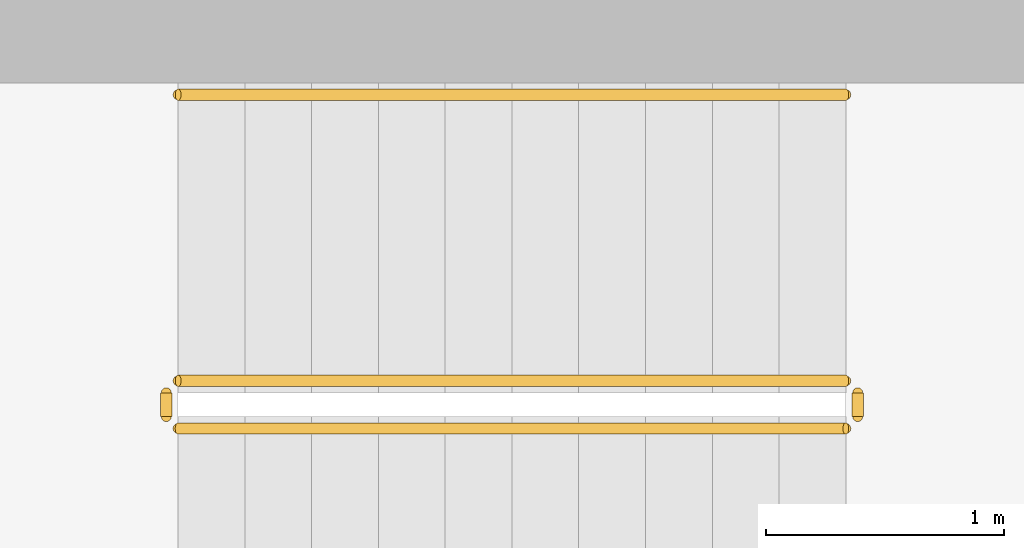
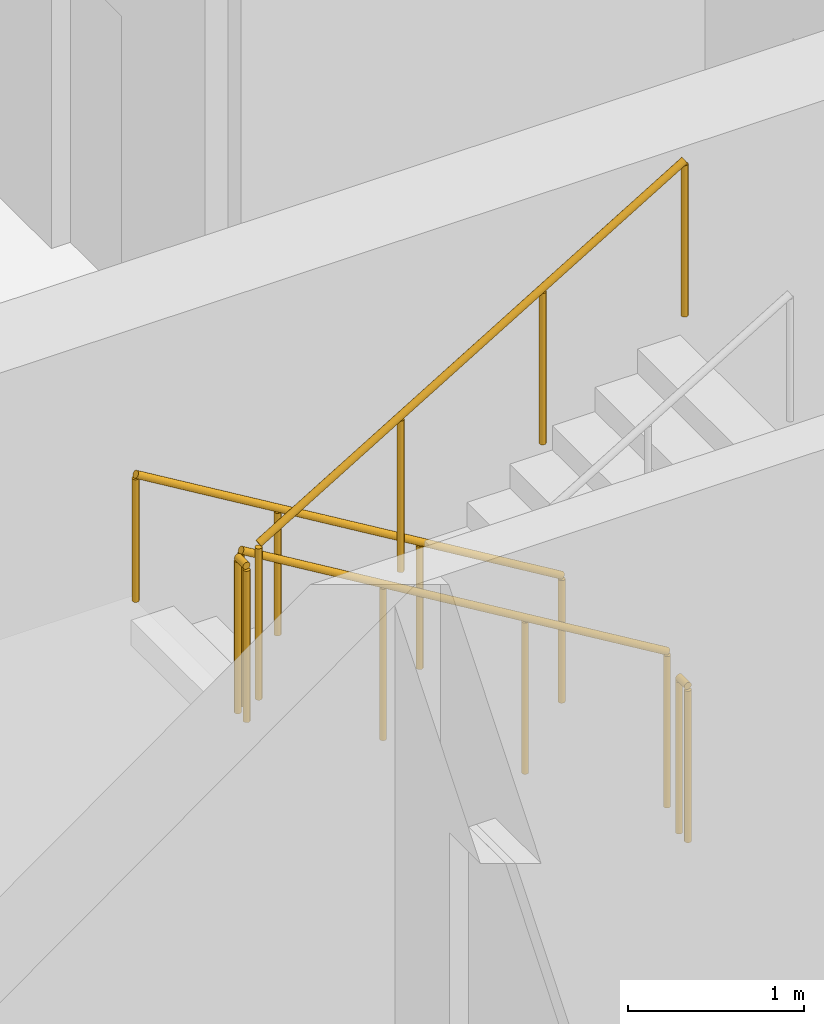
# One storey, part 18 of 26: 5 railings.
"""IFC4 building model written with IfcOpenShell, lengths in metres."""

from ifc_helpers import new_model, si_unit, direction, frame, origin, origin_2d, place, context, subcontext, project, spatial, circle, extrude, material, type_object, element, save


model = new_model("IFC4")

# Units and contexts
model_context = context("Model", 3, precision=1e-05, world=origin(), true_north=direction((0.0, 1.0)))
body_context = subcontext(model_context, "Body", "Model", "MODEL_VIEW")
ifc_project = project(units=[si_unit("LENGTHUNIT", "METRE"), si_unit("AREAUNIT", "SQUARE_METRE"), si_unit("VOLUMEUNIT", "CUBIC_METRE"), si_unit("PLANEANGLEUNIT", "RADIAN"), si_unit("MASSUNIT", "GRAM", prefix="KILO")], contexts=[model_context])

# Site, building, storey
site_placement = place(None, origin())
site = spatial("IfcSite", under=ifc_project, at=site_placement, CompositionType="ELEMENT")
building_placement = place(site_placement, origin())
building = spatial("IfcBuilding", under=site, at=building_placement, Name="Ogive Portal Towers", CompositionType="ELEMENT")
storey_placement = place(building_placement, frame((0.0, 0.0, 171.800048828125)))
storey = spatial("IfcBuildingStorey", under=building, at=storey_placement, Name="L42", CompositionType="ELEMENT", Elevation=171.800048828125)

# Railings
ifc_material_1 = material(Name="Stainless steel balustrade", Category="steel")
railing_type_1 = type_object("IfcRailingType", Name="INT-GUARD", PredefinedType="GUARDRAIL", material=ifc_material_1)
railing_1_placement = place(storey_placement, frame((37.449951171875, 37.800048828125, 0.168212890625)))
element("IfcRailing", 1, at=railing_1_placement, inside=storey, type_object=railing_type_1, Name="L42 ST-A1 stair guard 1", PredefinedType="GUARDRAIL", context=body_context, shape_type="SweptSolid", body=[
    extrude(circle(Radius=0.02392578125, at=origin_2d()), frame((0.0, 0.0, 1.076171875), z_axis=(-0.857275202839, 0.0, 0.514858452973), x_axis=(0.0, -1.0, 0.0)), (0.0, 0.0, 1.0), 3.26611328125),
    extrude(circle(Radius=0.02099609375, at=origin_2d()), origin(), (0.0, 0.0, 1.0), 1.052001953125),
    extrude(circle(Radius=0.02099609375, at=origin_2d()), frame((-0.933349609375, 0.0, 0.560546875)), (0.0, 0.0, 1.0), 1.052001953125),
    extrude(circle(Radius=0.02099609375, at=origin_2d()), frame((-1.86669921875, 0.0, 1.12109375)), (0.0, 0.0, 1.0), 1.052001953125),
    extrude(circle(Radius=0.02099609375, at=origin_2d()), frame((-2.800048828125, 0.0, 1.681640625)), (0.0, 0.0, 1.0), 1.052001953125),
])
railing_2_placement = place(storey_placement, frame((34.60009765625, 37.75, 1.849853515625)))
element("IfcRailing", 2, at=railing_2_placement, inside=storey, type_object=railing_type_1, Name="L42 ST-A1 stair guard 2", PredefinedType="GUARDRAIL", context=body_context, shape_type="SweptSolid", body=[
    extrude(circle(Radius=0.02392578125, at=origin_2d()), frame((0.0, 0.0, 1.076171875), z_axis=(0.0, -1.0, 0.0), x_axis=(1.0, 0.0, 0.0)), (0.0, 0.0, 1.0), 0.10009765625),
    extrude(circle(Radius=0.02099609375, at=origin_2d()), origin(), (0.0, 0.0, 1.0), 1.052001953125),
    extrude(circle(Radius=0.02099609375, at=origin_2d()), frame((0.0, -0.10009765625, 0.0)), (0.0, 0.0, 1.0), 1.052001953125),
])
railing_3_placement = place(storey_placement, frame((34.64990234375, 37.60009765625, 2.01806640625)))
element("IfcRailing", 3, at=railing_3_placement, inside=storey, type_object=railing_type_1, Name="L42 ST-A1 stair guard 3", PredefinedType="GUARDRAIL", context=body_context, shape_type="SweptSolid", body=[
    extrude(circle(Radius=0.02392578125, at=origin_2d()), frame((0.0, 0.0, 1.076171875), z_axis=(0.857242210791, 0.0, 0.514913383045), x_axis=(0.0, 1.0, 0.0)), (0.0, 0.0, 1.0), 3.266357421875),
    extrude(circle(Radius=0.02099609375, at=origin_2d()), origin(), (0.0, 0.0, 1.0), 1.052001953125),
    extrude(circle(Radius=0.02099609375, at=origin_2d()), frame((0.933349609375, 0.0, 0.560546875)), (0.0, 0.0, 1.0), 1.052001953125),
    extrude(circle(Radius=0.02099609375, at=origin_2d()), frame((1.86669921875, 0.0, 1.121337890625)), (0.0, 0.0, 1.0), 1.052001953125),
    extrude(circle(Radius=0.02099609375, at=origin_2d()), frame((2.800048828125, 0.0, 1.681884765625)), (0.0, 0.0, 1.0), 1.052001953125),
])
railing_4_placement = place(storey_placement, frame((37.5, 37.75, 0.0)))
element("IfcRailing", 4, at=railing_4_placement, inside=storey, type_object=railing_type_1, Name="L42 ST-A1 stair guard 4", PredefinedType="GUARDRAIL", context=body_context, shape_type="SweptSolid", body=[
    extrude(circle(Radius=0.02392578125, at=origin_2d()), frame((0.0, 0.0, 1.076171875), z_axis=(0.0, -1.0, 0.0), x_axis=(1.0, 0.0, 0.0)), (0.0, 0.0, 1.0), 0.10009765625),
    extrude(circle(Radius=0.02099609375, at=origin_2d()), origin(), (0.0, 0.0, 1.0), 1.052001953125),
    extrude(circle(Radius=0.02099609375, at=origin_2d()), frame((0.0, -0.10009765625, 0.0)), (0.0, 0.0, 1.0), 1.052001953125),
])
ifc_material_2 = material(Name="Stainless steel handrail", Category="steel")
railing_type_2 = type_object("IfcRailingType", Name="INT-HANDRAIL", PredefinedType="HANDRAIL", material=ifc_material_2)
railing_5_placement = place(storey_placement, frame((37.449951171875, 39.0, 0.168212890625)))
element("IfcRailing", 5, at=railing_5_placement, inside=storey, type_object=railing_type_2, Name="L42 ST-A1 stair handrail 1", PredefinedType="HANDRAIL", context=body_context, shape_type="SweptSolid", body=[
    extrude(circle(Radius=0.02392578125, at=origin_2d()), frame((0.0, 0.0, 0.8759765625), z_axis=(-0.857275202839, 0.0, 0.514858452973), x_axis=(0.0, -1.0, 0.0)), (0.0, 0.0, 1.0), 3.26611328125),
    extrude(circle(Radius=0.02099609375, at=origin_2d()), origin(), (0.0, 0.0, 1.0), 0.851806640625),
    extrude(circle(Radius=0.02099609375, at=origin_2d()), frame((-0.933349609375, 0.0, 0.560546875)), (0.0, 0.0, 1.0), 0.851806640625),
    extrude(circle(Radius=0.02099609375, at=origin_2d()), frame((-1.86669921875, 0.0, 1.12109375)), (0.0, 0.0, 1.0), 0.851806640625),
    extrude(circle(Radius=0.02099609375, at=origin_2d()), frame((-2.800048828125, 0.0, 1.681640625)), (0.0, 0.0, 1.0), 0.851806640625),
])

save(model, "model.ifc")
